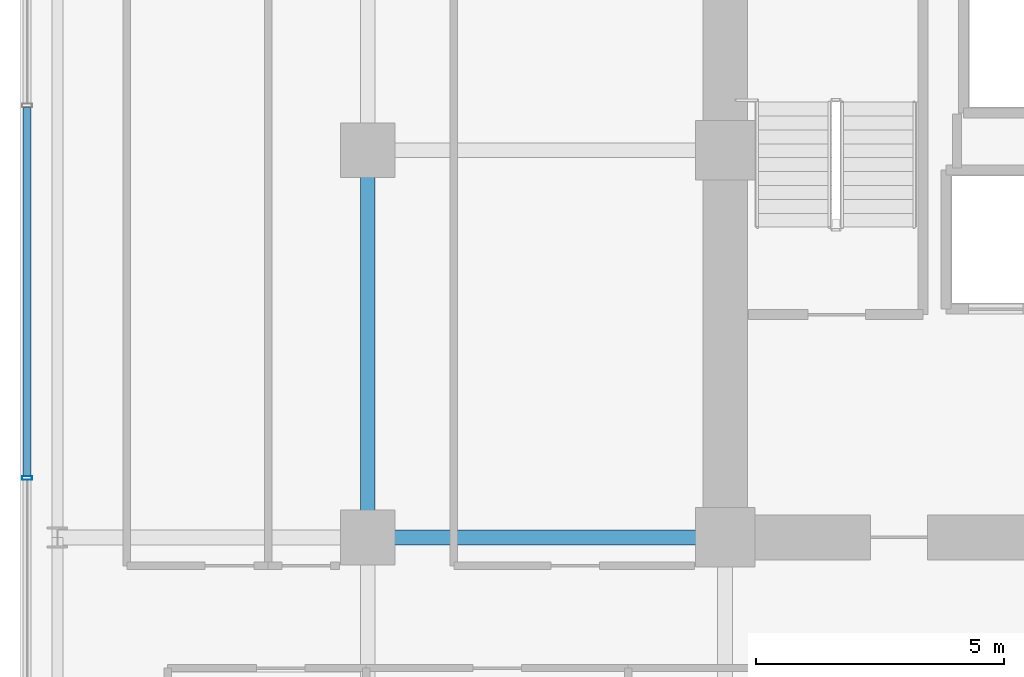
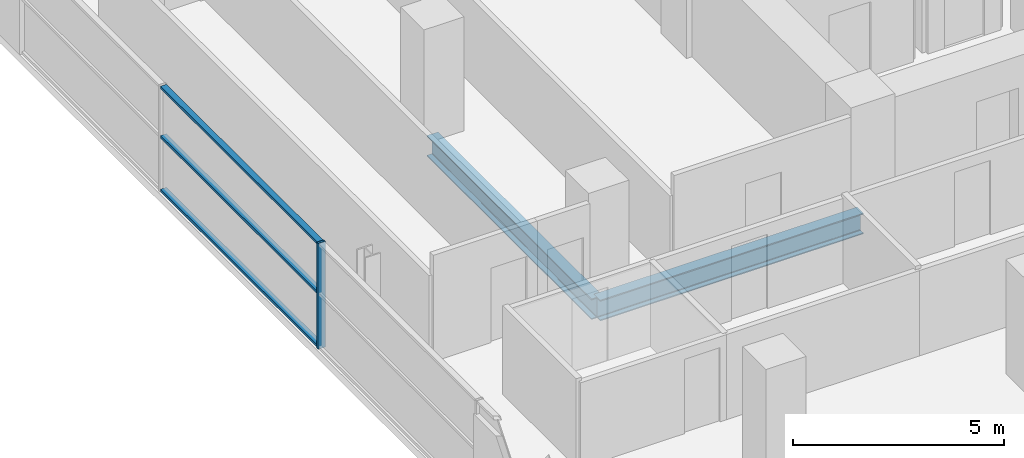
# One storey, part 8 of 26: 4 members, 2 beams, 1 element without a shape of its own.
"""IFC4 building model written with IfcOpenShell, lengths in metres."""

from ifc_helpers import new_model, si_unit, direction, frame, origin, origin_2d, place, context, subcontext, project, spatial, hollow_rectangle, i_section, extrude, source, transform, mapped, material, layer, layer_set, material_profile, profile_set, type_object, element, aggregate, save


model = new_model("IFC4")

# Units and contexts
model_context = context("Model", 3, precision=1e-05, world=origin(), true_north=direction((0.0, 1.0)))
body_context = subcontext(model_context, "Body", "Model", "MODEL_VIEW")
ifc_project = project(units=[si_unit("LENGTHUNIT", "METRE"), si_unit("AREAUNIT", "SQUARE_METRE"), si_unit("VOLUMEUNIT", "CUBIC_METRE"), si_unit("PLANEANGLEUNIT", "RADIAN"), si_unit("MASSUNIT", "GRAM", prefix="KILO")], contexts=[model_context])

# Site, building, storey
site_placement = place(None, origin())
site = spatial("IfcSite", under=ifc_project, at=site_placement, CompositionType="ELEMENT")
building_placement = place(site_placement, origin())
building = spatial("IfcBuilding", under=site, at=building_placement, Name="Zarnakvel Exchange Tower", CompositionType="ELEMENT")
storey_placement = place(building_placement, frame((0.0, 0.0, 63.699951171875)))
storey = spatial("IfcBuildingStorey", under=building, at=storey_placement, Name="L17", CompositionType="ELEMENT", Elevation=63.699951171875)

# Beams
ifc_material_1 = material(Name="Steel S355", Category="steel")
ifc_material_profile_1 = material_profile(ifc_material_1, i_section(OverallWidth=0.300048828125, OverallDepth=0.60009765625, WebThickness=0.015380859375, FlangeThickness=0.030029296875, FilletRadius=0.027099609375, at=origin_2d()))
ifc_profile_set_1 = profile_set([ifc_material_profile_1], Name="Steel S355")
beam_type = type_object("IfcBeamType", Name="G-04", PredefinedType="BEAM", material=ifc_profile_set_1)
beam_1_placement = place(storey_placement, frame((-21.60009765625, -1.199951171875, -0.52490234375), z_axis=(1.0, 0.0, 0.0), x_axis=(0.0, 1.0, 0.0)))
element("IfcBeam", 1, at=beam_1_placement, inside=storey, type_object=beam_type, Name="L17 Tower E-W Frame Beam", PredefinedType="BEAM", context=body_context, shape_type="SweptSolid", body=[
    extrude(i_section(OverallWidth=0.300048828125, OverallDepth=0.60009765625, WebThickness=0.015380859375, FlangeThickness=0.030029296875, FilletRadius=0.027099609375, at=origin_2d()), origin(), (0.0, 0.0, 1.0), 7.2001953125),
])
beam_2_placement = place(storey_placement, frame((-21.60009765625, -1.199951171875, -0.52490234375), z_axis=(0.0, 1.0, 0.0), x_axis=(-1.0, 0.0, 0.0)))
element("IfcBeam", 2, at=beam_2_placement, inside=storey, type_object=beam_type, Name="L17 Tower N-S Frame Beam", PredefinedType="BEAM", context=body_context, shape_type="SweptSolid", body=[
    extrude(i_section(OverallWidth=0.300048828125, OverallDepth=0.60009765625, WebThickness=0.015380859375, FlangeThickness=0.030029296875, FilletRadius=0.027099609375, at=origin_2d()), origin(), (0.0, 0.0, 1.0), 7.800048828125),
])

# Curtain wall, members
ifc_material_2 = material(Name="Architectural Bronze Anodised Aluminium", Category="aluminium")
ifc_layer = layer(ifc_material_2, 0.199951171875)
ifc_layer_set = layer_set([ifc_layer], Name="Architectural Bronze Anodised Aluminium")
curtain_wall_type = type_object("IfcCurtainWallType", Name="CW-04", PredefinedType="NOTDEFINED", material=ifc_layer_set)
curtain_wall_placement = place(storey_placement, origin())
curtain_wall = element("IfcCurtainWall", 3, at=curtain_wall_placement, inside=storey, type_object=curtain_wall_type, Name="L17 Curtain Wall CW-L17-W1 (CW-04)", PredefinedType="NOTDEFINED")
ifc_material_profile_2 = material_profile(ifc_material_2, hollow_rectangle(XDim=0.159912109375, YDim=0.074951171875, WallThickness=0.00390625, at=origin_2d()))
ifc_profile_set_2 = profile_set([ifc_material_profile_2], Name="Architectural Bronze Anodised Aluminium")
member_type_1 = type_object("IfcMemberType", Name="CWT-04", PredefinedType="USERDEFINED", material=ifc_profile_set_2)
shared_shape_1 = source(origin(), body_context, "Body", "SweptSolid", [
    extrude(hollow_rectangle(XDim=0.159912109375, YDim=0.074951171875, WallThickness=0.00390625, at=origin_2d()), origin(), (0.0, 0.0, 1.0), 7.4248046875),
])
member_1_placement = place(storey_placement, frame((-28.4599609375, 0.03759765625, 0.03759765625), z_axis=(0.0, 1.0, 0.0), x_axis=(-1.0, 0.0, 0.0)))
member_1 = element("IfcMember", 4, at=member_1_placement, type_object=member_type_1, Name="CW-04 transom 3.1", ObjectType="TRANSOM", PredefinedType="USERDEFINED", context=body_context, shape_type="MappedRepresentation", body=[
    mapped(shared_shape_1, transform((0.0, 0.0, 0.0), x_axis=(1.0, 0.0, 0.0), y_axis=(0.0, 1.0, 0.0), z_axis=(0.0, 0.0, 1.0), scale=1.0)),
])
member_2_placement = place(storey_placement, frame((-28.4599609375, 0.03759765625, 1.588623046875), z_axis=(0.0, 1.0, 0.0), x_axis=(-1.0, 0.0, 0.0)))
member_2 = element("IfcMember", 5, at=member_2_placement, type_object=member_type_1, Name="CW-04 transom 3.2", ObjectType="TRANSOM", PredefinedType="USERDEFINED", context=body_context, shape_type="MappedRepresentation", body=[
    mapped(shared_shape_1, transform((0.0, 0.0, 0.0), x_axis=(1.0, 0.0, 0.0), y_axis=(0.0, 1.0, 0.0), z_axis=(0.0, 0.0, 1.0), scale=1.0)),
])
member_3_placement = place(storey_placement, frame((-28.4599609375, 0.03759765625, 3.017578125), z_axis=(0.0, 1.0, 0.0), x_axis=(-1.0, 0.0, 0.0)))
member_3 = element("IfcMember", 6, at=member_3_placement, type_object=member_type_1, Name="CW-04 transom 3.3", ObjectType="TRANSOM", PredefinedType="USERDEFINED", context=body_context, shape_type="MappedRepresentation", body=[
    mapped(shared_shape_1, transform((0.0, 0.0, 0.0), x_axis=(1.0, 0.0, 0.0), y_axis=(0.0, 1.0, 0.0), z_axis=(0.0, 0.0, 1.0), scale=1.0)),
])
ifc_material_profile_3 = material_profile(ifc_material_2, hollow_rectangle(XDim=0.199951171875, YDim=0.074951171875, WallThickness=0.0048828125, at=origin_2d()))
ifc_profile_set_3 = profile_set([ifc_material_profile_3], Name="Architectural Bronze Anodised Aluminium")
member_type_2 = type_object("IfcMemberType", Name="CWM-04", PredefinedType="MULLION", material=ifc_profile_set_3)
shared_shape_2 = source(origin(), body_context, "Body", "SweptSolid", [
    extrude(hollow_rectangle(XDim=0.199951171875, YDim=0.074951171875, WallThickness=0.0048828125, at=origin_2d()), origin(), (0.0, 0.0, 1.0), 3.054931640625),
])
member_4_placement = place(storey_placement, frame((-28.4599609375, 0.0, 0.0), z_axis=(0.0, 0.0, 1.0), x_axis=(-1.0, 0.0, 0.0)))
member_4 = element("IfcMember", 7, at=member_4_placement, type_object=member_type_2, Name="CW-04 mullion 3", PredefinedType="MULLION", context=body_context, shape_type="MappedRepresentation", body=[
    mapped(shared_shape_2, transform((0.0, 0.0, 0.0), x_axis=(1.0, 0.0, 0.0), y_axis=(0.0, 1.0, 0.0), z_axis=(0.0, 0.0, 1.0), scale=1.0)),
])
aggregate(curtain_wall, [member_4, member_1, member_2, member_3])

save(model, "model.ifc")
